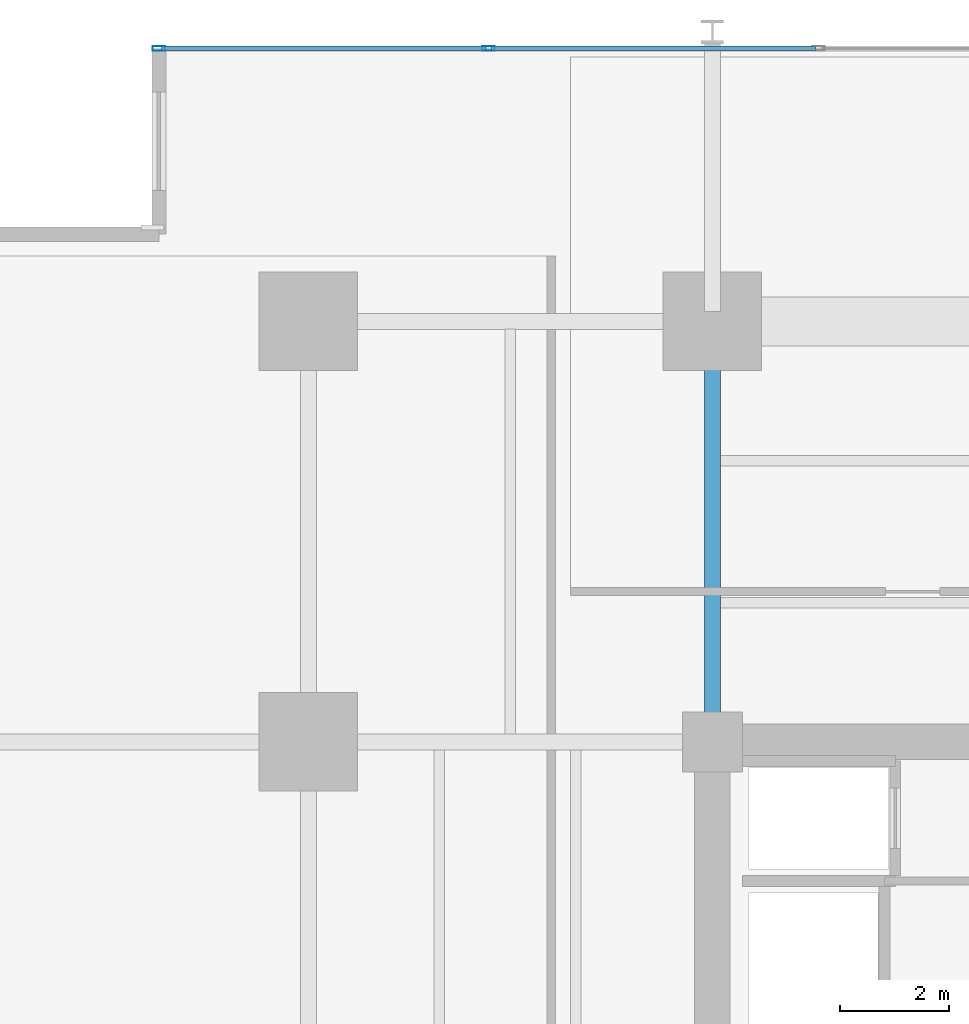
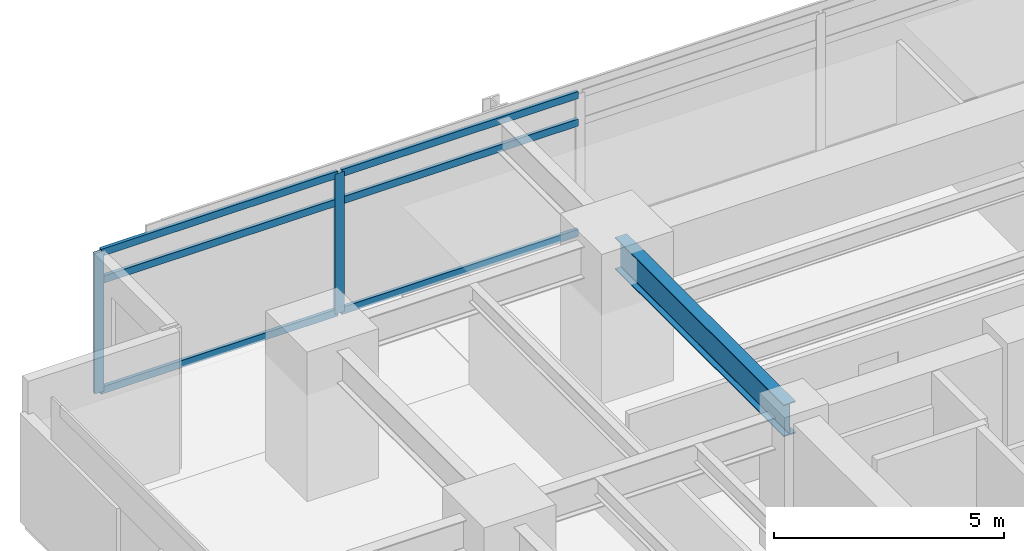
# One storey, part 8 of 21: 8 members, 1 beam, 1 element without a shape of its own.
"""IFC4 building model written with IfcOpenShell, lengths in metres."""

import ifcopenshell
import ifcopenshell.guid

model = None  # the IFC model being written
_history = None  # IfcOwnerHistory: only IFC2X3 demands one
_inside = {}  # id of a spatial element -> (the spatial element, [elements in it])
_under = {}  # id of a project, library or spatial element -> (it, [spatial elements below it])
_declared = {}  # id of a project -> (the project, [libraries it declares])
_typed = {}  # id of a type object -> (the type object, [elements of that type])
_made_of = {}  # id of a material, layer set ... -> (it, [elements and type objects made of it])


def new_model(schema):
    """Start an empty IFC model of exactly this schema.

    Asked for "IFC4X3", IfcOpenShell would pick the latest addendum, in which some entities
    have other attributes; the version numbers below select the first issue.
    IFC2X3 requires an IfcOwnerHistory on every rooted entity: one is made here for all.
    """
    global model, _history
    if schema == "IFC4X3":
        model = ifcopenshell.file(schema_version=(4, 3, 0, 0))
    else:
        model = ifcopenshell.file(schema=schema)
    _inside.clear()
    _under.clear()
    _declared.clear()
    _typed.clear()
    _made_of.clear()
    _history = None
    if model.schema == "IFC2X3":
        org = make("IfcOrganization", Name="unknown")
        user = make(
            "IfcPersonAndOrganization",
            ThePerson=make("IfcPerson", FamilyName="unknown"),
            TheOrganization=org,
        )
        app = make(
            "IfcApplication",
            ApplicationDeveloper=org,
            Version="unknown",
            ApplicationFullName="unknown",
            ApplicationIdentifier="unknown",
        )
        _history = make(
            "IfcOwnerHistory",
            OwningUser=user,
            OwningApplication=app,
            ChangeAction="ADDED",
            CreationDate=0,
        )
    return model


def make(cls, **values):
    """One entity of the class cls with the attributes given. An attribute that is None is left unset."""
    return model.create_entity(
        cls, **{name: value for name, value in values.items() if value is not None}
    )


def rooted(cls, **values):
    """An entity with a GlobalId (a new one), such as an element, a storey or a relation."""
    return make(cls, GlobalId=ifcopenshell.guid.new(), OwnerHistory=_history, **values)


def si_unit(unit_type, name, prefix=None):
    """IfcSIUnit, for example si_unit("LENGTHUNIT", "METRE", prefix="MILLI")."""
    return make("IfcSIUnit", UnitType=unit_type, Prefix=prefix, Name=name)


def assignment(units):
    """IfcUnitAssignment: the units of a project."""
    return None if units is None else make("IfcUnitAssignment", Units=units)


def point(xyz):
    """IfcCartesianPoint."""
    return None if xyz is None else make("IfcCartesianPoint", Coordinates=xyz)


def direction(xyz):
    """IfcDirection."""
    return None if xyz is None else make("IfcDirection", DirectionRatios=xyz)


def frame(location, z_axis=None, x_axis=None):
    """IfcAxis2Placement3D, a coordinate frame: its origin and axes. An axis left out is left unset."""
    return make(
        "IfcAxis2Placement3D",
        Location=point(location),
        Axis=direction(z_axis),
        RefDirection=direction(x_axis),
    )


def frame_2d(location, x_axis=None):
    """IfcAxis2Placement2D, a coordinate frame in the plane: its origin and x axis."""
    return make(
        "IfcAxis2Placement2D", Location=point(location), RefDirection=direction(x_axis)
    )


def origin():
    """The frame at (0, 0, 0) with its axes left unset."""
    return frame((0.0, 0.0, 0.0))


def origin_2d():
    """The frame at (0, 0) in the plane with its x axis left unset."""
    return frame_2d((0.0, 0.0))


def place(relative_to, where):
    """IfcLocalPlacement: puts the frame where relative to a parent placement (None: the world)."""
    return make(
        "IfcLocalPlacement", PlacementRelTo=relative_to, RelativePlacement=where
    )


def context(
    kind, dimensions, precision=None, world=None, true_north=None, identifier=None
):
    """IfcGeometricRepresentationContext, for example the 3D "Model" context."""
    return make(
        "IfcGeometricRepresentationContext",
        ContextIdentifier=identifier,
        ContextType=kind,
        CoordinateSpaceDimension=dimensions,
        Precision=precision,
        WorldCoordinateSystem=world,
        TrueNorth=true_north,
    )


def subcontext(parent, identifier, kind, view, scale=None):
    """IfcGeometricRepresentationSubContext, for example "Body" below "Model"."""
    return make(
        "IfcGeometricRepresentationSubContext",
        ContextIdentifier=identifier,
        ContextType=kind,
        ParentContext=parent,
        TargetScale=scale,
        TargetView=view,
    )


def project(units=None, contexts=None):
    """IfcProject with its units and contexts."""
    return rooted(
        "IfcProject",
        Name="project",
        RepresentationContexts=contexts,
        UnitsInContext=assignment(units),
    )


def spatial(cls, under=None, at=None, **own):
    """A site, building, storey or space (cls), placed at a placement, below another one or the project."""
    s = rooted(cls, ObjectPlacement=at, **own)
    if under is not None:
        _under.setdefault(under.id(), (under, []))[1].append(s)
    return s


def profile(cls, at=None, kind="AREA", **sizes):
    """A parametric profile (cls). Its sizes go by their IFC names, for example OverallWidth=200.0."""
    return make(cls, ProfileType=kind, Position=at, **sizes)


def hollow_rectangle(**sizes):
    """IfcRectangleHollowProfileDef."""
    return profile("IfcRectangleHollowProfileDef", **sizes)


def i_section(**sizes):
    """IfcIShapeProfileDef."""
    return profile("IfcIShapeProfileDef", **sizes)


def extrude(swept, where, along, depth):
    """IfcExtrudedAreaSolid: the profile swept, set in the frame where, extruded along a direction by depth."""
    return make(
        "IfcExtrudedAreaSolid",
        SweptArea=swept,
        Position=where,
        ExtrudedDirection=direction(along),
        Depth=depth,
    )


def shape(context_of_items, identifier, shape_type, items):
    """IfcShapeRepresentation: the items that make up one representation, for example the "Body"."""
    return make(
        "IfcShapeRepresentation",
        ContextOfItems=context_of_items,
        RepresentationIdentifier=identifier,
        RepresentationType=shape_type,
        Items=items,
    )


def material(Name=None, Category=None):
    """IfcMaterial."""
    return make("IfcMaterial", Name=Name, Category=Category)


def material_profile(
    of_material, cross_section, Name=None, Category=None, Priority=None
):
    """IfcMaterialProfile: a cross section and its material."""
    return make(
        "IfcMaterialProfile",
        Name=Name,
        Material=of_material,
        Profile=cross_section,
        Priority=Priority,
        Category=Category,
    )


def profile_set(profiles, Name=None, composite=None):
    """IfcMaterialProfileSet."""
    return make(
        "IfcMaterialProfileSet",
        Name=Name,
        MaterialProfiles=profiles,
        CompositeProfile=composite,
    )


def made_of(thing, what):
    """Note that an element or type object is made of a material, layer set ...; save() writes the relation."""
    if what is not None:
        _made_of.setdefault(what.id(), (what, []))[1].append(thing)
    return thing


def type_object(cls, material=None, **own):
    """A type object (cls), such as IfcWallType, which elements share."""
    return made_of(rooted(cls, **own), material)


def element(
    cls,
    number,
    at=None,
    inside=None,
    cuts=None,
    type_object=None,
    material=None,
    context=None,
    identifier="Body",
    shape_type=None,
    held_by="IfcProductDefinitionShape",
    body=None,
    shapes=None,
    **own,
):
    """One element of the class cls, such as IfcWall. Its Tag is "e" and its number.

    at: its placement. inside: the storey or other place that contains it. cuts: it is an
    opening in that element (IfcRelVoidsElement). A single representation is given by context,
    identifier, shape_type and body (its items); several are given by shapes. held_by: the class
    of the entity that holds the representations. save() writes the other relations.
    """
    e = rooted(cls, Tag="e%d" % number, ObjectPlacement=at, **own)
    if body is not None:
        shapes = [shape(context, identifier, shape_type, body)]
    if shapes is not None:
        e.Representation = make(held_by, Representations=shapes)
    if inside is not None:
        _inside.setdefault(inside.id(), (inside, []))[1].append(e)
    if cuts is not None:
        rooted(
            "IfcRelVoidsElement", RelatingBuildingElement=cuts, RelatedOpeningElement=e
        )
    if type_object is not None:
        _typed.setdefault(type_object.id(), (type_object, []))[1].append(e)
    return made_of(e, material)


def aggregate(whole, parts):
    """IfcRelAggregates: a whole, such as a stair, and the parts it consists of."""
    return rooted("IfcRelAggregates", RelatingObject=whole, RelatedObjects=parts)


def save(model, path):
    """Write the relations noted so far, then the file.

    IfcRelAggregates (storeys below a building ...), IfcRelContainedInSpatialStructure (elements
    in a storey), IfcRelDefinesByType, IfcRelAssociatesMaterial and IfcRelDeclares: one each for
    every whole, place, type object, material and project.
    """
    for whole, parts in _under.values():
        aggregate(whole, parts)
    for where, things in _inside.values():
        rooted(
            "IfcRelContainedInSpatialStructure",
            RelatedElements=things,
            RelatingStructure=where,
        )
    for kind, things in _typed.values():
        rooted("IfcRelDefinesByType", RelatedObjects=things, RelatingType=kind)
    for what, things in _made_of.values():
        rooted("IfcRelAssociatesMaterial", RelatedObjects=things, RelatingMaterial=what)
    for by, libraries in _declared.values():
        rooted("IfcRelDeclares", RelatingContext=by, RelatedDefinitions=libraries)
    model.write(path)


model = new_model("IFC4")

# Units and contexts
model_context = context("Model", 3, precision=1e-05, world=origin(), true_north=direction((0.0, 1.0)))
body_context = subcontext(model_context, "Body", "Model", "MODEL_VIEW")
ifc_project = project(units=[si_unit("LENGTHUNIT", "METRE"), si_unit("AREAUNIT", "SQUARE_METRE"), si_unit("VOLUMEUNIT", "CUBIC_METRE"), si_unit("PLANEANGLEUNIT", "RADIAN"), si_unit("MASSUNIT", "GRAM", prefix="KILO")], contexts=[model_context])

# Site, building, storey
site_placement = place(None, origin())
site = spatial("IfcSite", under=ifc_project, at=site_placement, CompositionType="ELEMENT")
building_placement = place(site_placement, origin())
building = spatial("IfcBuilding", under=site, at=building_placement, Name="Kovane Verandah Tower", CompositionType="ELEMENT")
storey_placement = place(building_placement, frame((0.0, 0.0, 31.60009765625)))
storey = spatial("IfcBuildingStorey", under=building, at=storey_placement, Name="L06", CompositionType="ELEMENT", Elevation=31.60009765625)

# Beam
ifc_material_1 = material(Name="Steel S355", Category="steel")
ifc_material_profile_1 = material_profile(ifc_material_1, i_section(OverallWidth=0.293701171875, OverallDepth=0.850830078125, WebThickness=0.01611328125, FlangeThickness=0.02685546875, FilletRadius=0.017822265625, at=origin_2d()), Name="UB838x292x226")
ifc_profile_set_1 = profile_set([ifc_material_profile_1], Name="Steel S355")
beam_type = type_object("IfcBeamType", Name="BM-UB838x226", PredefinedType="BEAM", material=ifc_profile_set_1)
beam_placement = place(storey_placement, frame((29.0, 36.679931640625, 3.33447265625), z_axis=(0.0, 1.0, 0.0), x_axis=(-1.0, 0.0, 0.0)))
element("IfcBeam", 1, at=beam_placement, inside=storey, type_object=beam_type, Name="L06 Primary Tower Girder G-N1", PredefinedType="BEAM", context=body_context, shape_type="SweptSolid", body=[
    extrude(i_section(OverallWidth=0.293701171875, OverallDepth=0.850830078125, WebThickness=0.01611328125, FlangeThickness=0.02685546875, FilletRadius=0.017822265625, at=origin_2d()), origin(), (0.0, 0.0, 1.0), 7.340087890625),
])

# Curtain wall, members
ifc_material_2 = material(Name="Champagne Anodised Aluminium Frame with Low-E Clear Laminated Glass", Category="aluminium")
curtain_wall_type = type_object("IfcCurtainWallType", Name="CW-SYS-02-LOW", PredefinedType="NOTDEFINED", material=ifc_material_2)
curtain_wall_placement = place(storey_placement, origin())
curtain_wall = element("IfcCurtainWall", 2, at=curtain_wall_placement, inside=storey, type_object=curtain_wall_type, Name="L06 N Unitised Curtain Wall", PredefinedType="NOTDEFINED")
ifc_material_3 = material(Name="Champagne Anodised Aluminium 6063-T6", Category="aluminium")
ifc_material_profile_2 = material_profile(ifc_material_3, hollow_rectangle(XDim=0.0849609375, YDim=0.22998046875, WallThickness=0.00390625, at=origin_2d()), Name="AL85x230x4")
ifc_profile_set_2 = profile_set([ifc_material_profile_2], Name="Champagne Anodised Aluminium 6063-T6")
member_type_1 = type_object("IfcMemberType", Name="CW-MUL-85x230", PredefinedType="MULLION", material=ifc_profile_set_2)
member_1_placement = place(storey_placement, frame((24.903076171875, 49.195068359375, 0.02001953125), z_axis=(0.0, 0.0, 1.0), x_axis=(0.0, 1.0, 0.0)))
member_1 = element("IfcMember", 3, at=member_1_placement, type_object=member_type_1, Name="L06 N Unitised Curtain Wall Mullion 7", PredefinedType="MULLION", context=body_context, shape_type="SweptSolid", body=[
    extrude(hollow_rectangle(XDim=0.0849609375, YDim=0.22998046875, WallThickness=0.00390625, at=origin_2d()), origin(), (0.0, 0.0, 1.0), 3.719970703125),
])
member_2_placement = place(storey_placement, frame((18.8642578125, 49.195068359375, 0.02001953125), z_axis=(0.0, 0.0, 1.0), x_axis=(0.0, 1.0, 0.0)))
member_2 = element("IfcMember", 4, at=member_2_placement, type_object=member_type_1, Name="L06 N Unitised Curtain Wall Mullion 8", PredefinedType="MULLION", context=body_context, shape_type="SweptSolid", body=[
    extrude(hollow_rectangle(XDim=0.0849609375, YDim=0.22998046875, WallThickness=0.00390625, at=origin_2d()), origin(), (0.0, 0.0, 1.0), 3.719970703125),
])
ifc_material_profile_3 = material_profile(ifc_material_3, hollow_rectangle(XDim=0.0849609375, YDim=0.18994140625, WallThickness=0.00390625, at=origin_2d()), Name="AL85x190x4")
ifc_profile_set_3 = profile_set([ifc_material_profile_3], Name="Champagne Anodised Aluminium 6063-T6")
member_type_2 = type_object("IfcMemberType", Name="CW-TRN-85x190", PredefinedType="USERDEFINED", material=ifc_profile_set_3)
member_3_placement = place(storey_placement, frame((30.891845703125, 49.195068359375, 0.0498046875), z_axis=(-1.0, 0.0, 0.0), x_axis=(0.0, -1.0, 0.0)))
member_3 = element("IfcMember", 5, at=member_3_placement, type_object=member_type_2, Name="L06 N Unitised Curtain Wall Transom TB Bay 6", ObjectType="TRANSOM", PredefinedType="USERDEFINED", context=body_context, shape_type="SweptSolid", body=[
    extrude(hollow_rectangle(XDim=0.0849609375, YDim=0.18994140625, WallThickness=0.00390625, at=origin_2d()), origin(), (0.0, 0.0, 1.0), 5.938720703125),
])
member_4_placement = place(storey_placement, frame((30.891845703125, 49.195068359375, 2.97998046875), z_axis=(-1.0, 0.0, 0.0), x_axis=(0.0, -1.0, 0.0)))
member_4 = element("IfcMember", 6, at=member_4_placement, type_object=member_type_2, Name="L06 N Unitised Curtain Wall Transom TM Bay 6", ObjectType="TRANSOM", PredefinedType="USERDEFINED", context=body_context, shape_type="SweptSolid", body=[
    extrude(hollow_rectangle(XDim=0.0849609375, YDim=0.18994140625, WallThickness=0.00390625, at=origin_2d()), origin(), (0.0, 0.0, 1.0), 5.938720703125),
])
member_5_placement = place(storey_placement, frame((30.891845703125, 49.195068359375, 3.7099609375), z_axis=(-1.0, 0.0, 0.0), x_axis=(0.0, -1.0, 0.0)))
member_5 = element("IfcMember", 7, at=member_5_placement, type_object=member_type_2, Name="L06 N Unitised Curtain Wall Transom TT Bay 6", ObjectType="TRANSOM", PredefinedType="USERDEFINED", context=body_context, shape_type="SweptSolid", body=[
    extrude(hollow_rectangle(XDim=0.0849609375, YDim=0.18994140625, WallThickness=0.00390625, at=origin_2d()), origin(), (0.0, 0.0, 1.0), 5.938720703125),
])
member_6_placement = place(storey_placement, frame((24.85302734375, 49.195068359375, 0.0498046875), z_axis=(-1.0, 0.0, 0.0), x_axis=(0.0, -1.0, 0.0)))
member_6 = element("IfcMember", 8, at=member_6_placement, type_object=member_type_2, Name="L06 N Unitised Curtain Wall Transom TB Bay 7", ObjectType="TRANSOM", PredefinedType="USERDEFINED", context=body_context, shape_type="SweptSolid", body=[
    extrude(hollow_rectangle(XDim=0.0849609375, YDim=0.18994140625, WallThickness=0.00390625, at=origin_2d()), origin(), (0.0, 0.0, 1.0), 5.938720703125),
])
member_7_placement = place(storey_placement, frame((24.85302734375, 49.195068359375, 2.97998046875), z_axis=(-1.0, 0.0, 0.0), x_axis=(0.0, -1.0, 0.0)))
member_7 = element("IfcMember", 9, at=member_7_placement, type_object=member_type_2, Name="L06 N Unitised Curtain Wall Transom TM Bay 7", ObjectType="TRANSOM", PredefinedType="USERDEFINED", context=body_context, shape_type="SweptSolid", body=[
    extrude(hollow_rectangle(XDim=0.0849609375, YDim=0.18994140625, WallThickness=0.00390625, at=origin_2d()), origin(), (0.0, 0.0, 1.0), 5.938720703125),
])
member_8_placement = place(storey_placement, frame((24.85302734375, 49.195068359375, 3.7099609375), z_axis=(-1.0, 0.0, 0.0), x_axis=(0.0, -1.0, 0.0)))
member_8 = element("IfcMember", 10, at=member_8_placement, type_object=member_type_2, Name="L06 N Unitised Curtain Wall Transom TT Bay 7", ObjectType="TRANSOM", PredefinedType="USERDEFINED", context=body_context, shape_type="SweptSolid", body=[
    extrude(hollow_rectangle(XDim=0.0849609375, YDim=0.18994140625, WallThickness=0.00390625, at=origin_2d()), origin(), (0.0, 0.0, 1.0), 5.938720703125),
])
aggregate(curtain_wall, [member_1, member_2, member_3, member_4, member_5, member_6, member_7, member_8])

save(model, "model.ifc")
